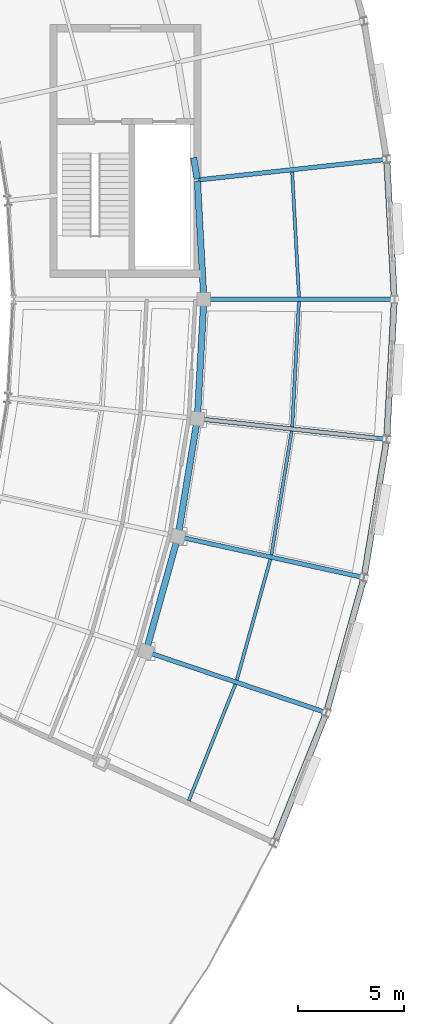
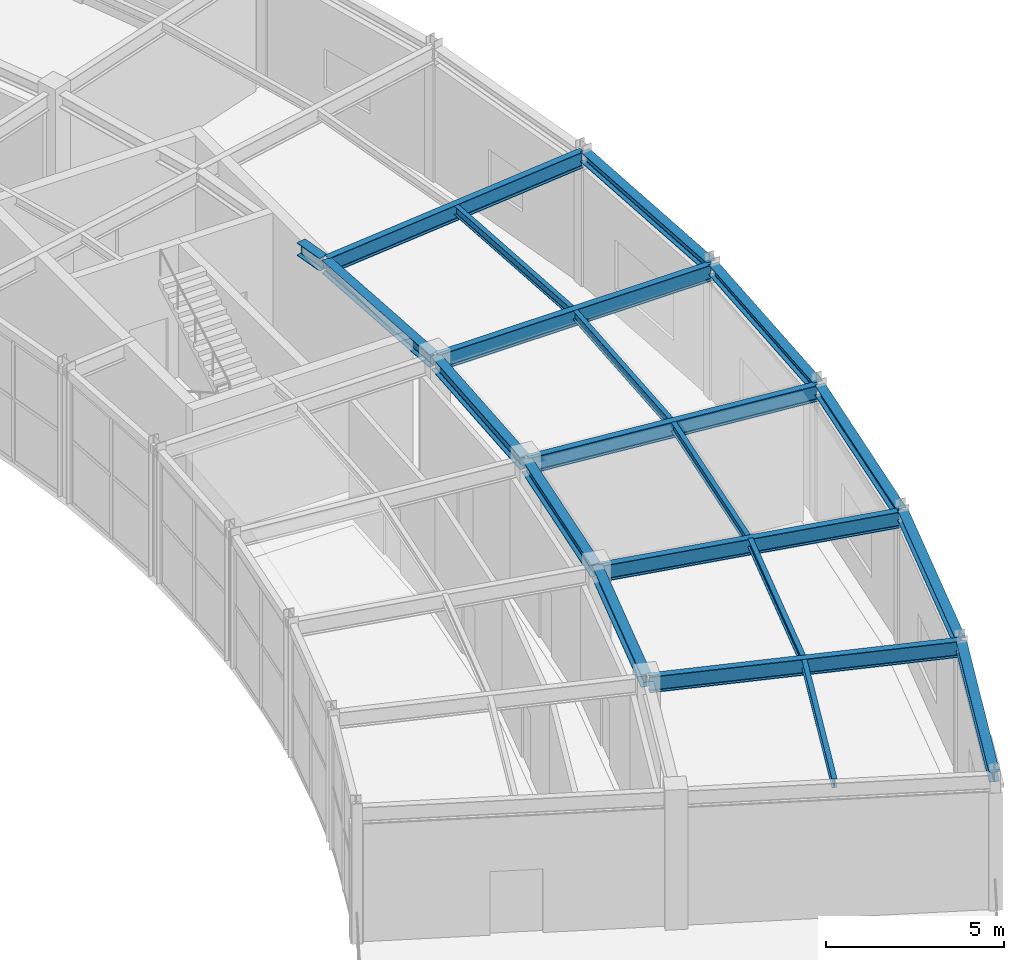
# One storey, part 69 of 108: 20 beams.
"""IFC4 building model written with IfcOpenShell, lengths in metres."""

from ifc_helpers import new_model, si_unit, direction, frame, origin, origin_2d, place, context, subcontext, project, spatial, i_section, extrude, material, material_profile, profile_set, type_object, element, save


model = new_model("IFC4")

# Units and contexts
model_context = context("Model", 3, precision=1e-05, world=origin(), true_north=direction((0.0, 1.0)))
body_context = subcontext(model_context, "Body", "Model", "MODEL_VIEW")
ifc_project = project(units=[si_unit("LENGTHUNIT", "METRE"), si_unit("AREAUNIT", "SQUARE_METRE"), si_unit("VOLUMEUNIT", "CUBIC_METRE"), si_unit("PLANEANGLEUNIT", "RADIAN"), si_unit("MASSUNIT", "GRAM", prefix="KILO")], contexts=[model_context])

# Site, building, storey
site_placement = place(None, origin())
site = spatial("IfcSite", under=ifc_project, at=site_placement, CompositionType="ELEMENT")
building_placement = place(site_placement, origin())
building = spatial("IfcBuilding", under=site, at=building_placement, Name="Tarnveldt Headland Concert Hall", CompositionType="ELEMENT")
storey_placement = place(building_placement, frame((0.0, 0.0, 9.60009765625)))
storey = spatial("IfcBuildingStorey", under=building, at=storey_placement, Name="L02", CompositionType="ELEMENT", Elevation=9.60009765625)

# Beams
ifc_material = material(Name="Steel S355", Category="steel")
ifc_material_profile_1 = material_profile(ifc_material, i_section(OverallWidth=0.300048828125, OverallDepth=0.35009765625, WebThickness=0.010009765625, FlangeThickness=0.017578125, FilletRadius=0.027099609375, at=origin_2d()), Name="HEA360", Category="steel")
ifc_profile_set_1 = profile_set([ifc_material_profile_1], Name="Steel S355")
beam_type_1 = type_object("IfcBeamType", Name="SB-HEA360", PredefinedType="SPANDREL", material=ifc_profile_set_1)
beam_1_placement = place(storey_placement, frame((172.85693359375, 34.38330078125, 4.414794921875), z_axis=(0.370995678575, 0.928634592549, 0.0), x_axis=(-0.928634592549, 0.370995678575, 0.0)))
element("IfcBeam", 1, at=beam_1_placement, inside=storey, type_object=beam_type_1, Name="Framing beam L02-1077", PredefinedType="SPANDREL", context=body_context, shape_type="SweptSolid", body=[
    extrude(i_section(OverallWidth=0.300048828125, OverallDepth=0.35009765625, WebThickness=0.010009765625, FlangeThickness=0.017578125, FilletRadius=0.027099609375, at=origin_2d()), origin(), (0.0, 0.0, 1.0), 6.5009765625),
])
beam_2_placement = place(storey_placement, frame((175.307373046875, 40.533935546875, 4.414794921875), z_axis=(0.268162889674, 0.963373585169, 0.0), x_axis=(-0.963373585169, 0.268162889674, 0.0)))
element("IfcBeam", 2, at=beam_2_placement, inside=storey, type_object=beam_type_1, Name="Framing beam L02-1084", PredefinedType="SPANDREL", context=body_context, shape_type="SweptSolid", body=[
    extrude(i_section(OverallWidth=0.300048828125, OverallDepth=0.35009765625, WebThickness=0.010009765625, FlangeThickness=0.017578125, FilletRadius=0.027099609375, at=origin_2d()), origin(), (0.0, 0.0, 1.0), 6.501220703125),
])
beam_3_placement = place(storey_placement, frame((177.076416015625, 46.9140625, 4.375), z_axis=(0.162188067735, 0.986759864752, 0.0), x_axis=(-0.986759864752, 0.162188067735, 0.0)))
element("IfcBeam", 3, at=beam_3_placement, inside=storey, type_object=beam_type_1, Name="Framing beam L02-1091", PredefinedType="SPANDREL", context=body_context, shape_type="SweptSolid", body=[
    extrude(i_section(OverallWidth=0.300048828125, OverallDepth=0.35009765625, WebThickness=0.010009765625, FlangeThickness=0.017578125, FilletRadius=0.027099609375, at=origin_2d()), origin(), (0.0, 0.0, 1.0), 6.50146484375),
])
for number, where, z_axis, x_axis, name in (
    (4, (178.143798828125, 53.448486328125, 4.375), (0.054263670447, 0.998526641642, 0.0), (-0.998526641642, 0.054263670447, 0.0), "Framing beam L02-1098"),
    (5, (178.49658203125, 60.059814453125, 4.375), (-0.054263670447, 0.998526641642, 0.0), (-0.998526641642, -0.054263670447, 0.0), "Framing beam L02-1105"),
):
    element("IfcBeam", number, at=place(storey_placement, frame(where, z_axis=z_axis, x_axis=x_axis)), inside=storey, type_object=beam_type_1, Name=name, PredefinedType="SPANDREL", context=body_context, shape_type="SweptSolid", body=[
        extrude(i_section(OverallWidth=0.300048828125, OverallDepth=0.35009765625, WebThickness=0.010009765625, FlangeThickness=0.017578125, FilletRadius=0.027099609375, at=origin_2d()), origin(), (0.0, 0.0, 1.0), 6.501220703125),
    ])
ifc_material_profile_2 = material_profile(ifc_material, i_section(OverallWidth=0.300048828125, OverallDepth=0.43994140625, WebThickness=0.011474609375, FlangeThickness=0.02099609375, FilletRadius=0.027099609375, at=origin_2d()), Name="HEA450", Category="steel")
ifc_profile_set_2 = profile_set([ifc_material_profile_2], Name="Steel S355")
beam_type_2 = type_object("IfcBeamType", Name="SB-HEA450", PredefinedType="BEAM", material=ifc_profile_set_2)
for number, where, z_axis, x_axis, name in (
    (6, (166.78076171875, 43.41455078125, 4.369873046875), (0.268165788284, 0.963372778313, 0.0), (-0.963372778313, 0.268165788284, 0.0), "Framing beam L02-1083"),
    (7, (168.2880859375, 48.853515625, 4.329833984375), (0.16219127416, 0.986759337724, 0.0), (-0.986759337724, 0.16219127416, 0.0), "Framing beam L02-1090"),
    (8, (169.197021484375, 54.423828125, 4.329833984375), (0.054224156809, 0.998528788177, 0.0), (-0.998528788177, 0.054224156809, 0.0), "Framing beam L02-1097"),
    (9, (169.49658203125, 60.059814453125, 4.329833984375), (-0.054224156809, 0.998528788177, 0.0), (-0.998528788177, -0.054224156809, 0.0), "Framing beam L02-1104"),
):
    element("IfcBeam", number, at=place(storey_placement, frame(where, z_axis=z_axis, x_axis=x_axis)), inside=storey, type_object=beam_type_2, Name=name, PredefinedType="BEAM", context=body_context, shape_type="SweptSolid", body=[
        extrude(i_section(OverallWidth=0.300048828125, OverallDepth=0.43994140625, WebThickness=0.011474609375, FlangeThickness=0.02099609375, FilletRadius=0.027099609375, at=origin_2d()), origin(), (0.0, 0.0, 1.0), 5.5244140625),
    ])
beam_4_placement = place(storey_placement, frame((169.18408203125, 65.6953125, 4.329833984375), z_axis=(-0.16224524411, 0.986750465297, 0.0), x_axis=(-0.986750465297, -0.16224524411, 0.0)))
element("IfcBeam", 10, at=beam_4_placement, inside=storey, type_object=beam_type_2, Name="Framing beam L02-1111", PredefinedType="BEAM", context=body_context, shape_type="SweptSolid", body=[
    extrude(i_section(OverallWidth=0.300048828125, OverallDepth=0.43994140625, WebThickness=0.011474609375, FlangeThickness=0.02099609375, FilletRadius=0.027099609375, at=origin_2d()), origin(), (0.0, 0.0, 1.0), 1.01123046875),
])
ifc_material_profile_3 = material_profile(ifc_material, i_section(OverallWidth=0.14990234375, OverallDepth=0.300048828125, WebThickness=0.007080078125, FlangeThickness=0.0107421875, FilletRadius=0.014892578125, at=origin_2d()), Name="IPE300", Category="steel")
ifc_profile_set_3 = profile_set([ifc_material_profile_3], Name="Steel S355")
beam_type_3 = type_object("IfcBeamType", Name="SB-IPE300", PredefinedType="JOIST", material=ifc_profile_set_3)
beam_5_placement = place(storey_placement, frame((168.79150390625, 36.31884765625, 4.43994140625), z_axis=(0.371013987619, 0.928627277755, 0.0), x_axis=(-0.928627277755, 0.371013987619, 0.0)))
element("IfcBeam", 11, at=beam_5_placement, inside=storey, type_object=beam_type_3, Name="Framing beam L02-1079", PredefinedType="JOIST", context=body_context, shape_type="SweptSolid", body=[
    extrude(i_section(OverallWidth=0.14990234375, OverallDepth=0.300048828125, WebThickness=0.007080078125, FlangeThickness=0.0107421875, FilletRadius=0.014892578125, at=origin_2d()), origin(), (0.0, 0.0, 1.0), 5.923095703125),
])
beam_6_placement = place(storey_placement, frame((171.05615234375, 42.017578125, 4.43994140625), z_axis=(0.268143442058, 0.96337899836, 0.0), x_axis=(-0.96337899836, 0.268143442058, 0.0)))
element("IfcBeam", 12, at=beam_6_placement, inside=storey, type_object=beam_type_3, Name="Framing beam L02-1086", PredefinedType="JOIST", context=body_context, shape_type="SweptSolid", body=[
    extrude(i_section(OverallWidth=0.14990234375, OverallDepth=0.300048828125, WebThickness=0.007080078125, FlangeThickness=0.0107421875, FilletRadius=0.014892578125, at=origin_2d()), origin(), (0.0, 0.0, 1.0), 5.922607421875),
])
for number, where, z_axis, x_axis, name in (
    (13, (172.689697265625, 47.92822265625, 4.39990234375), (0.162159317287, 0.986764589868, 0.0), (-0.986764589868, 0.162159317287, 0.0), "Framing beam L02-1093"),
    (14, (173.6728515625, 53.981201171875, 4.39990234375), (0.054287396326, 0.998525352007, 0.0), (-0.998525352007, 0.054287396326, 0.0), "Framing beam L02-1100"),
    (15, (173.994384765625, 60.104736328125, 4.39990234375), (-0.054287396326, 0.998525352007, 0.0), (-0.998525352007, -0.054287396326, 0.0), "Framing beam L02-1107"),
):
    element("IfcBeam", number, at=place(storey_placement, frame(where, z_axis=z_axis, x_axis=x_axis)), inside=storey, type_object=beam_type_3, Name=name, PredefinedType="JOIST", context=body_context, shape_type="SweptSolid", body=[
        extrude(i_section(OverallWidth=0.14990234375, OverallDepth=0.300048828125, WebThickness=0.007080078125, FlangeThickness=0.0107421875, FilletRadius=0.014892578125, at=origin_2d()), origin(), (0.0, 0.0, 1.0), 5.9228515625),
    ])
ifc_material_profile_4 = material_profile(ifc_material, i_section(OverallWidth=0.2099609375, OverallDepth=0.550048828125, WebThickness=0.010986328125, FlangeThickness=0.01708984375, FilletRadius=0.02392578125, at=origin_2d()), Name="IPE550", Category="steel")
ifc_profile_set_4 = profile_set([ifc_material_profile_4], Name="Steel S355")
beam_type_4 = type_object("IfcBeamType", Name="SB-IPE550", PredefinedType="BEAM", material=ifc_profile_set_4)
for number, where, z_axis, x_axis, name in (
    (16, (166.8212890625, 43.337646484375, 4.31494140625), (0.947394358085, -0.320068633686, 0.0), (0.320068633686, 0.947394358085, 0.0), "Framing beam L02-1081"),
    (17, (168.3369140625, 48.781494140625, 4.27490234375), (0.976505569656, -0.215492163268, 0.0), (0.215492163268, 0.976505569656, 0.0), "Framing beam L02-1088"),
):
    element("IfcBeam", number, at=place(storey_placement, frame(where, z_axis=z_axis, x_axis=x_axis)), inside=storey, type_object=beam_type_4, Name=name, PredefinedType="BEAM", context=body_context, shape_type="SweptSolid", body=[
        extrude(i_section(OverallWidth=0.2099609375, OverallDepth=0.550048828125, WebThickness=0.010986328125, FlangeThickness=0.01708984375, FilletRadius=0.02392578125, at=origin_2d()), origin(), (0.0, 0.0, 1.0), 8.880126953125),
    ])
for number, where, z_axis, x_axis, name in (
    (18, (169.25341796875, 54.357421875, 4.27490234375), (0.994109611255, -0.108379337562, 0.0), (0.108379337562, 0.994109611255, 0.0), "Framing beam L02-1095"),
    (19, (169.56005859375, 60.0, 4.27490234375), (1.0, 0.0, 0.0), (0.0, 1.0, 0.0), "Framing beam L02-1102"),
    (20, (169.25341796875, 65.642578125, 4.27490234375), (0.994109611255, 0.108379337562, 0.0), (-0.108379337562, 0.994109611255, 0.0), "Framing beam L02-1109"),
):
    element("IfcBeam", number, at=place(storey_placement, frame(where, z_axis=z_axis, x_axis=x_axis)), inside=storey, type_object=beam_type_4, Name=name, PredefinedType="BEAM", context=body_context, shape_type="SweptSolid", body=[
        extrude(i_section(OverallWidth=0.2099609375, OverallDepth=0.550048828125, WebThickness=0.010986328125, FlangeThickness=0.01708984375, FilletRadius=0.02392578125, at=origin_2d()), origin(), (0.0, 0.0, 1.0), 8.8798828125),
    ])

save(model, "model.ifc")
